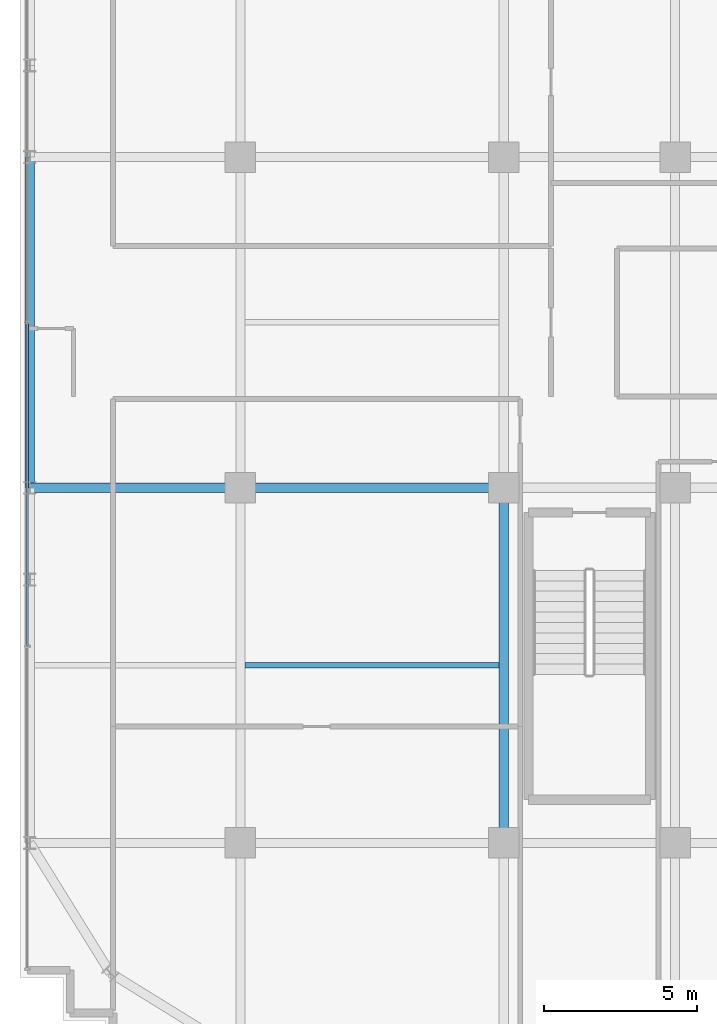
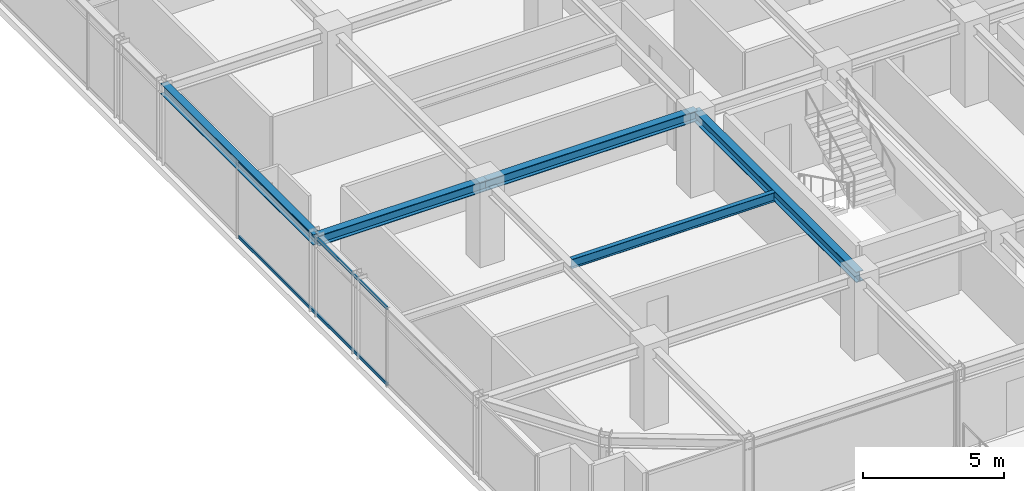
# One storey, part 9 of 36: 5 beams, 2 members, 1 element without a shape of its own.
"""IFC4 building model written with IfcOpenShell, lengths in metres."""

from ifc_helpers import new_model, si_unit, direction, frame, origin, origin_2d, place, context, subcontext, project, spatial, hollow_rectangle, i_section, extrude, source, transform, mapped, material, material_profile, profile_set, type_object, element, aggregate, save


model = new_model("IFC4")

# Units and contexts
model_context = context("Model", 3, precision=1e-05, world=origin(), true_north=direction((0.0, 1.0)))
body_context = subcontext(model_context, "Body", "Model", "MODEL_VIEW")
ifc_project = project(units=[si_unit("LENGTHUNIT", "METRE"), si_unit("AREAUNIT", "SQUARE_METRE"), si_unit("VOLUMEUNIT", "CUBIC_METRE"), si_unit("PLANEANGLEUNIT", "RADIAN"), si_unit("MASSUNIT", "GRAM", prefix="KILO")], contexts=[model_context])

# Site, building, storey
site_placement = place(None, origin())
site = spatial("IfcSite", under=ifc_project, at=site_placement, CompositionType="ELEMENT")
building_placement = place(site_placement, origin())
building = spatial("IfcBuilding", under=site, at=building_placement, Name="Nahalor Promenade Grand Hotel", CompositionType="ELEMENT")
storey_placement = place(building_placement, frame((0.0, 0.0, 253.0)))
storey = spatial("IfcBuildingStorey", under=building, at=storey_placement, Name="L65", CompositionType="ELEMENT", Elevation=253.0)

# Beams
ifc_material_1 = material(Name="Steel S355JR", Category="steel")
ifc_material_profile_1 = material_profile(ifc_material_1, i_section(OverallWidth=0.3, OverallDepth=0.45, WebThickness=0.014, FlangeThickness=0.026, at=origin_2d()), Name="HEB 450")
ifc_profile_set_1 = profile_set([ifc_material_profile_1], Name="Steel S355JR")
beam_type_1 = type_object("IfcBeamType", Name="Beam-Spandrel-HEB450", PredefinedType="SPANDREL", material=ifc_profile_set_1)
shared_shape_1 = source(origin(), body_context, "Body", "SweptSolid", [
    extrude(i_section(OverallWidth=0.3, OverallDepth=0.45, WebThickness=0.014, FlangeThickness=0.026, at=origin_2d()), origin(), (0.0, 0.0, 1.0), 10.7998046875),
])
beam_1_placement = place(storey_placement, frame((-23.8798828125, -5.39990234375, 3.18505859375), z_axis=(0.0, 1.0, 0.0), x_axis=(-1.0, 0.0, 0.0)))
element("IfcBeam", 1, at=beam_1_placement, inside=storey, type_object=beam_type_1, Name="BM-L65-SP-W-2", PredefinedType="SPANDREL", context=body_context, shape_type="MappedRepresentation", body=[
    mapped(shared_shape_1, transform((0.0, 0.0, 0.0), scale=1.0)),
])
ifc_material_profile_2 = material_profile(ifc_material_1, i_section(OverallWidth=0.3, OverallDepth=0.45, WebThickness=0.014, FlangeThickness=0.026, at=origin_2d()), Name="HEB 450")
ifc_profile_set_2 = profile_set([ifc_material_profile_2], Name="Steel S355JR")
beam_type_2 = type_object("IfcBeamType", Name="Beam-Girder-HEB450", PredefinedType="BEAM", material=ifc_profile_set_2)
shared_shape_2 = source(origin(), body_context, "Body", "SweptSolid", [
    extrude(i_section(OverallWidth=0.3, OverallDepth=0.45, WebThickness=0.014, FlangeThickness=0.026, at=origin_2d()), origin(), (0.0, 0.0, 1.0), 6.8798828125),
])
beam_2_placement = place(storey_placement, frame((-23.8798828125, -5.39990234375, 3.18505859375), z_axis=(1.0, 0.0, 0.0), x_axis=(0.0, 1.0, 0.0)))
element("IfcBeam", 2, at=beam_2_placement, inside=storey, type_object=beam_type_2, Name="BM-L65-GX-1-0", PredefinedType="BEAM", context=body_context, shape_type="MappedRepresentation", body=[
    mapped(shared_shape_2, transform((0.0, 0.0, 0.0), scale=1.0)),
])
shared_shape_3 = source(origin(), body_context, "Body", "SweptSolid", [
    extrude(i_section(OverallWidth=0.3, OverallDepth=0.45, WebThickness=0.014, FlangeThickness=0.026, at=origin_2d()), origin(), (0.0, 0.0, 1.0), 8.60009765625),
])
beam_3_placement = place(storey_placement, frame((-17.0, -5.39990234375, 3.18505859375), z_axis=(1.0, 0.0, 0.0), x_axis=(0.0, 1.0, 0.0)))
element("IfcBeam", 3, at=beam_3_placement, inside=storey, type_object=beam_type_2, Name="BM-L65-GX-1-1", PredefinedType="BEAM", context=body_context, shape_type="MappedRepresentation", body=[
    mapped(shared_shape_3, transform((0.0, 0.0, 0.0), scale=1.0)),
])
shared_shape_4 = source(origin(), body_context, "Body", "SweptSolid", [
    extrude(i_section(OverallWidth=0.3, OverallDepth=0.45, WebThickness=0.014, FlangeThickness=0.026, at=origin_2d()), origin(), (0.0, 0.0, 1.0), 11.60009765625),
])
beam_4_placement = place(storey_placement, frame((-8.39990234375, -17.0, 3.18505859375), z_axis=(0.0, 1.0, 0.0), x_axis=(-1.0, 0.0, 0.0)))
element("IfcBeam", 4, at=beam_4_placement, inside=storey, type_object=beam_type_2, Name="BM-L65-GY-1-1", PredefinedType="BEAM", context=body_context, shape_type="MappedRepresentation", body=[
    mapped(shared_shape_4, transform((0.0, 0.0, 0.0), scale=1.0)),
])
ifc_material_profile_3 = material_profile(ifc_material_1, i_section(OverallWidth=0.18, OverallDepth=0.4, WebThickness=0.0086, FlangeThickness=0.0135, at=origin_2d()), Name="IPE 400")
ifc_profile_set_3 = profile_set([ifc_material_profile_3], Name="Steel S355JR")
beam_type_3 = type_object("IfcBeamType", Name="Beam-Joist-IPE400", PredefinedType="JOIST", material=ifc_profile_set_3)
shared_shape_5 = source(origin(), body_context, "Body", "SweptSolid", [
    extrude(i_section(OverallWidth=0.18, OverallDepth=0.4, WebThickness=0.0086, FlangeThickness=0.0135, at=origin_2d()), origin(), (0.0, 0.0, 1.0), 8.300048828125),
])
beam_5_placement = place(storey_placement, frame((-16.85009765625, -11.199951171875, 3.2099609375), z_axis=(1.0, 0.0, 0.0), x_axis=(0.0, 1.0, 0.0)))
element("IfcBeam", 5, at=beam_5_placement, inside=storey, type_object=beam_type_3, Name="BM-L65-JSW-0-1", PredefinedType="JOIST", context=body_context, shape_type="MappedRepresentation", body=[
    mapped(shared_shape_5, transform((0.0, 0.0, 0.0), scale=1.0)),
])

# Curtain wall, members
ifc_material_2 = material(Name="Anodised Bronze Aluminium EN AW-6063 T6", Category="aluminium")
curtain_wall_type = type_object("IfcCurtainWallType", Name="CW2 Typical Hotel Flush Bronze Unitised Curtain Wall", PredefinedType="USERDEFINED", material=ifc_material_2)
curtain_wall_placement = place(storey_placement, origin())
curtain_wall = element("IfcCurtainWall", 6, at=curtain_wall_placement, inside=storey, type_object=curtain_wall_type, Name="L65 Curtain Wall CW-L65-W-1", ObjectType="UNITISED_CURTAIN_WALL", PredefinedType="USERDEFINED")
ifc_material_profile_4 = material_profile(ifc_material_2, hollow_rectangle(XDim=0.065, YDim=0.13, WallThickness=0.004, at=origin_2d()), Name="CWT 65x130x4")
ifc_profile_set_4 = profile_set([ifc_material_profile_4], Name="Anodised Bronze Aluminium EN AW-6063 T6")
member_type = type_object("IfcMemberType", Name="CWT2 Typical Bronze Transom 65x130", PredefinedType="USERDEFINED", material=ifc_profile_set_4)
shared_shape_6 = source(origin(), body_context, "Body", "SweptSolid", [
    extrude(hollow_rectangle(XDim=0.065, YDim=0.13, WallThickness=0.004, at=origin_2d()), origin(), (0.0, 0.0, 1.0), 10.51513671875),
])
member_1_placement = place(storey_placement, frame((-23.9599609375, -10.547607421875, 0.06494140625), z_axis=(0.0, 1.0, 0.0), x_axis=(-1.0, 0.0, 0.0)))
member_1 = element("IfcMember", 7, at=member_1_placement, type_object=member_type, Name="CW-L65-W-1 Transom 1-0", ObjectType="TRANSOM", PredefinedType="USERDEFINED", context=body_context, shape_type="MappedRepresentation", body=[
    mapped(shared_shape_6, transform((0.0, 0.0, 0.0), scale=1.0)),
])
member_2_placement = place(storey_placement, frame((-23.9599609375, -10.547607421875, 3.344970703125), z_axis=(0.0, 1.0, 0.0), x_axis=(-1.0, 0.0, 0.0)))
member_2 = element("IfcMember", 8, at=member_2_placement, type_object=member_type, Name="CW-L65-W-1 Transom 1-1", ObjectType="TRANSOM", PredefinedType="USERDEFINED", context=body_context, shape_type="MappedRepresentation", body=[
    mapped(shared_shape_6, transform((0.0, 0.0, 0.0), scale=1.0)),
])
aggregate(curtain_wall, [member_1, member_2])

save(model, "model.ifc")
